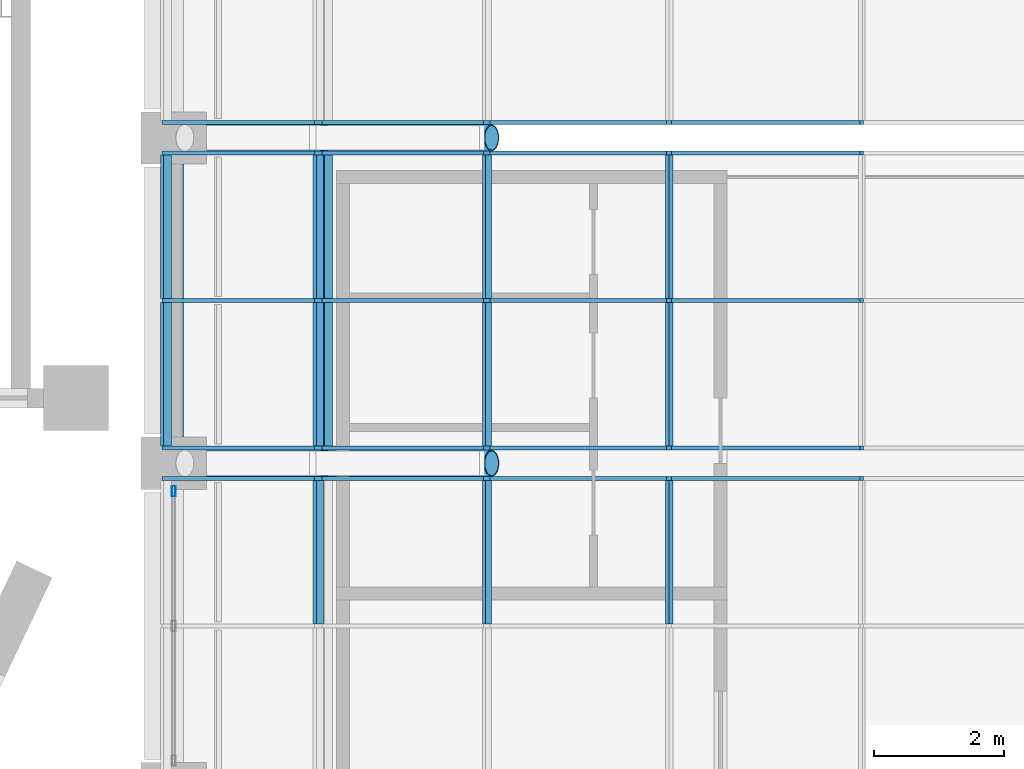
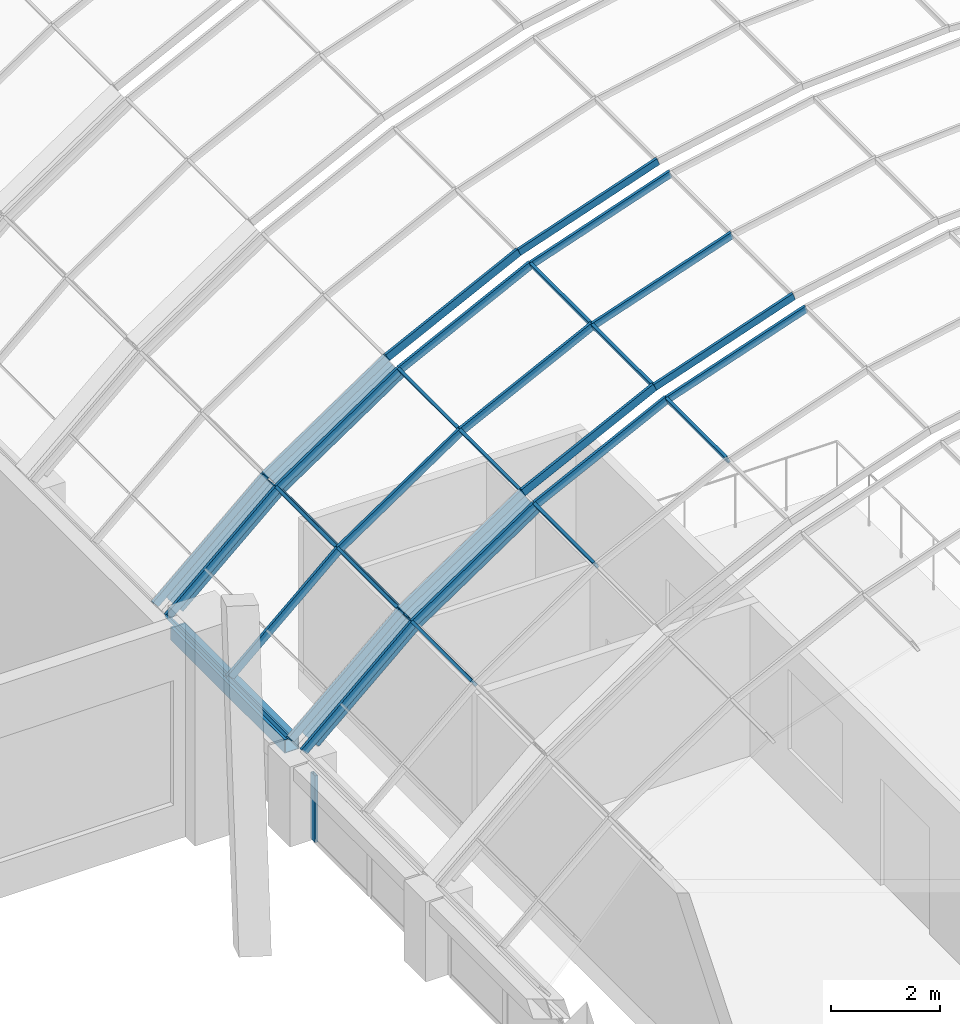
# One storey, part 50 of 182: 37 members, 1 beam, 4 elements without a shape of their own.
"""IFC4 building model written with IfcOpenShell, lengths in metres."""

import ifcopenshell
import ifcopenshell.guid

model = None  # the IFC model being written
_history = None  # IfcOwnerHistory: only IFC2X3 demands one
_inside = {}  # id of a spatial element -> (the spatial element, [elements in it])
_under = {}  # id of a project, library or spatial element -> (it, [spatial elements below it])
_declared = {}  # id of a project -> (the project, [libraries it declares])
_typed = {}  # id of a type object -> (the type object, [elements of that type])
_made_of = {}  # id of a material, layer set ... -> (it, [elements and type objects made of it])


def new_model(schema):
    """Start an empty IFC model of exactly this schema.

    Asked for "IFC4X3", IfcOpenShell would pick the latest addendum, in which some entities
    have other attributes; the version numbers below select the first issue.
    IFC2X3 requires an IfcOwnerHistory on every rooted entity: one is made here for all.
    """
    global model, _history
    if schema == "IFC4X3":
        model = ifcopenshell.file(schema_version=(4, 3, 0, 0))
    else:
        model = ifcopenshell.file(schema=schema)
    _inside.clear()
    _under.clear()
    _declared.clear()
    _typed.clear()
    _made_of.clear()
    _history = None
    if model.schema == "IFC2X3":
        org = make("IfcOrganization", Name="unknown")
        user = make(
            "IfcPersonAndOrganization",
            ThePerson=make("IfcPerson", FamilyName="unknown"),
            TheOrganization=org,
        )
        app = make(
            "IfcApplication",
            ApplicationDeveloper=org,
            Version="unknown",
            ApplicationFullName="unknown",
            ApplicationIdentifier="unknown",
        )
        _history = make(
            "IfcOwnerHistory",
            OwningUser=user,
            OwningApplication=app,
            ChangeAction="ADDED",
            CreationDate=0,
        )
    return model


def make(cls, **values):
    """One entity of the class cls with the attributes given. An attribute that is None is left unset."""
    return model.create_entity(
        cls, **{name: value for name, value in values.items() if value is not None}
    )


def rooted(cls, **values):
    """An entity with a GlobalId (a new one), such as an element, a storey or a relation."""
    return make(cls, GlobalId=ifcopenshell.guid.new(), OwnerHistory=_history, **values)


def si_unit(unit_type, name, prefix=None):
    """IfcSIUnit, for example si_unit("LENGTHUNIT", "METRE", prefix="MILLI")."""
    return make("IfcSIUnit", UnitType=unit_type, Prefix=prefix, Name=name)


def assignment(units):
    """IfcUnitAssignment: the units of a project."""
    return None if units is None else make("IfcUnitAssignment", Units=units)


def point(xyz):
    """IfcCartesianPoint."""
    return None if xyz is None else make("IfcCartesianPoint", Coordinates=xyz)


def direction(xyz):
    """IfcDirection."""
    return None if xyz is None else make("IfcDirection", DirectionRatios=xyz)


def frame(location, z_axis=None, x_axis=None):
    """IfcAxis2Placement3D, a coordinate frame: its origin and axes. An axis left out is left unset."""
    return make(
        "IfcAxis2Placement3D",
        Location=point(location),
        Axis=direction(z_axis),
        RefDirection=direction(x_axis),
    )


def frame_2d(location, x_axis=None):
    """IfcAxis2Placement2D, a coordinate frame in the plane: its origin and x axis."""
    return make(
        "IfcAxis2Placement2D", Location=point(location), RefDirection=direction(x_axis)
    )


def origin():
    """The frame at (0, 0, 0) with its axes left unset."""
    return frame((0.0, 0.0, 0.0))


def origin_2d():
    """The frame at (0, 0) in the plane with its x axis left unset."""
    return frame_2d((0.0, 0.0))


def place(relative_to, where):
    """IfcLocalPlacement: puts the frame where relative to a parent placement (None: the world)."""
    return make(
        "IfcLocalPlacement", PlacementRelTo=relative_to, RelativePlacement=where
    )


def context(
    kind, dimensions, precision=None, world=None, true_north=None, identifier=None
):
    """IfcGeometricRepresentationContext, for example the 3D "Model" context."""
    return make(
        "IfcGeometricRepresentationContext",
        ContextIdentifier=identifier,
        ContextType=kind,
        CoordinateSpaceDimension=dimensions,
        Precision=precision,
        WorldCoordinateSystem=world,
        TrueNorth=true_north,
    )


def subcontext(parent, identifier, kind, view, scale=None):
    """IfcGeometricRepresentationSubContext, for example "Body" below "Model"."""
    return make(
        "IfcGeometricRepresentationSubContext",
        ContextIdentifier=identifier,
        ContextType=kind,
        ParentContext=parent,
        TargetScale=scale,
        TargetView=view,
    )


def project(units=None, contexts=None):
    """IfcProject with its units and contexts."""
    return rooted(
        "IfcProject",
        Name="project",
        RepresentationContexts=contexts,
        UnitsInContext=assignment(units),
    )


def spatial(cls, under=None, at=None, **own):
    """A site, building, storey or space (cls), placed at a placement, below another one or the project."""
    s = rooted(cls, ObjectPlacement=at, **own)
    if under is not None:
        _under.setdefault(under.id(), (under, []))[1].append(s)
    return s


def profile(cls, at=None, kind="AREA", **sizes):
    """A parametric profile (cls). Its sizes go by their IFC names, for example OverallWidth=200.0."""
    return make(cls, ProfileType=kind, Position=at, **sizes)


def rectangle(**sizes):
    """IfcRectangleProfileDef."""
    return profile("IfcRectangleProfileDef", **sizes)


def hollow_rectangle(**sizes):
    """IfcRectangleHollowProfileDef."""
    return profile("IfcRectangleHollowProfileDef", **sizes)


def hollow_circle(**sizes):
    """IfcCircleHollowProfileDef."""
    return profile("IfcCircleHollowProfileDef", **sizes)


def extrude(swept, where, along, depth):
    """IfcExtrudedAreaSolid: the profile swept, set in the frame where, extruded along a direction by depth."""
    return make(
        "IfcExtrudedAreaSolid",
        SweptArea=swept,
        Position=where,
        ExtrudedDirection=direction(along),
        Depth=depth,
    )


def shape(context_of_items, identifier, shape_type, items):
    """IfcShapeRepresentation: the items that make up one representation, for example the "Body"."""
    return make(
        "IfcShapeRepresentation",
        ContextOfItems=context_of_items,
        RepresentationIdentifier=identifier,
        RepresentationType=shape_type,
        Items=items,
    )


def material(Name=None, Category=None):
    """IfcMaterial."""
    return make("IfcMaterial", Name=Name, Category=Category)


def material_profile(
    of_material, cross_section, Name=None, Category=None, Priority=None
):
    """IfcMaterialProfile: a cross section and its material."""
    return make(
        "IfcMaterialProfile",
        Name=Name,
        Material=of_material,
        Profile=cross_section,
        Priority=Priority,
        Category=Category,
    )


def profile_set(profiles, Name=None, composite=None):
    """IfcMaterialProfileSet."""
    return make(
        "IfcMaterialProfileSet",
        Name=Name,
        MaterialProfiles=profiles,
        CompositeProfile=composite,
    )


def made_of(thing, what):
    """Note that an element or type object is made of a material, layer set ...; save() writes the relation."""
    if what is not None:
        _made_of.setdefault(what.id(), (what, []))[1].append(thing)
    return thing


def type_object(cls, material=None, **own):
    """A type object (cls), such as IfcWallType, which elements share."""
    return made_of(rooted(cls, **own), material)


def element(
    cls,
    number,
    at=None,
    inside=None,
    cuts=None,
    type_object=None,
    material=None,
    context=None,
    identifier="Body",
    shape_type=None,
    held_by="IfcProductDefinitionShape",
    body=None,
    shapes=None,
    **own,
):
    """One element of the class cls, such as IfcWall. Its Tag is "e" and its number.

    at: its placement. inside: the storey or other place that contains it. cuts: it is an
    opening in that element (IfcRelVoidsElement). A single representation is given by context,
    identifier, shape_type and body (its items); several are given by shapes. held_by: the class
    of the entity that holds the representations. save() writes the other relations.
    """
    e = rooted(cls, Tag="e%d" % number, ObjectPlacement=at, **own)
    if body is not None:
        shapes = [shape(context, identifier, shape_type, body)]
    if shapes is not None:
        e.Representation = make(held_by, Representations=shapes)
    if inside is not None:
        _inside.setdefault(inside.id(), (inside, []))[1].append(e)
    if cuts is not None:
        rooted(
            "IfcRelVoidsElement", RelatingBuildingElement=cuts, RelatedOpeningElement=e
        )
    if type_object is not None:
        _typed.setdefault(type_object.id(), (type_object, []))[1].append(e)
    return made_of(e, material)


def aggregate(whole, parts):
    """IfcRelAggregates: a whole, such as a stair, and the parts it consists of."""
    return rooted("IfcRelAggregates", RelatingObject=whole, RelatedObjects=parts)


def save(model, path):
    """Write the relations noted so far, then the file.

    IfcRelAggregates (storeys below a building ...), IfcRelContainedInSpatialStructure (elements
    in a storey), IfcRelDefinesByType, IfcRelAssociatesMaterial and IfcRelDeclares: one each for
    every whole, place, type object, material and project.
    """
    for whole, parts in _under.values():
        aggregate(whole, parts)
    for where, things in _inside.values():
        rooted(
            "IfcRelContainedInSpatialStructure",
            RelatedElements=things,
            RelatingStructure=where,
        )
    for kind, things in _typed.values():
        rooted("IfcRelDefinesByType", RelatedObjects=things, RelatingType=kind)
    for what, things in _made_of.values():
        rooted("IfcRelAssociatesMaterial", RelatedObjects=things, RelatingMaterial=what)
    for by, libraries in _declared.values():
        rooted("IfcRelDeclares", RelatingContext=by, RelatedDefinitions=libraries)
    model.write(path)


model = new_model("IFC4")

# Units and contexts
model_context = context("Model", 3, precision=1e-05, world=origin(), true_north=direction((0.0, 1.0)))
body_context = subcontext(model_context, "Body", "Model", "MODEL_VIEW")
ifc_project = project(units=[si_unit("LENGTHUNIT", "METRE"), si_unit("AREAUNIT", "SQUARE_METRE"), si_unit("VOLUMEUNIT", "CUBIC_METRE"), si_unit("PLANEANGLEUNIT", "RADIAN"), si_unit("MASSUNIT", "GRAM", prefix="KILO")], contexts=[model_context])

# Site, building, storey
site_placement = place(None, origin())
site = spatial("IfcSite", under=ifc_project, at=site_placement, CompositionType="ELEMENT")
building_placement = place(site_placement, origin())
building = spatial("IfcBuilding", under=site, at=building_placement, Name="Okhra Congress Centre", CompositionType="ELEMENT")
storey_placement = place(building_placement, frame((0.0, 0.0, 7.199951171875)))
storey = spatial("IfcBuildingStorey", under=building, at=storey_placement, Name="L01", CompositionType="ELEMENT", Elevation=7.199951171875)

# Curtain wall, member
ifc_material_1 = material(Name="Aluminium frame with triple glazing", Category="aluminium")
curtain_wall_type_1 = type_object("IfcCurtainWallType", Name="Glazed vault bay curtain wall", PredefinedType="NOTDEFINED", material=ifc_material_1)
curtain_wall_1_placement = place(storey_placement, origin())
curtain_wall_1 = element("IfcCurtainWall", 1, at=curtain_wall_1_placement, inside=storey, type_object=curtain_wall_type_1, Name="Vault glazing bay 11", PredefinedType="NOTDEFINED")
ifc_material_2 = material(Name="Aluminium alloy 6063", Category="aluminium")
ifc_material_profile_1 = material_profile(ifc_material_2, rectangle(XDim=0.06005859375, YDim=0.159912109375, at=origin_2d()), Name="AL 60x160")
ifc_profile_set_1 = profile_set([ifc_material_profile_1], Name="Aluminium alloy 6063")
member_type_1 = type_object("IfcMemberType", Name="Aluminium mullion 60x160", PredefinedType="MULLION", material=ifc_profile_set_1)
member_1_placement = place(storey_placement, frame((163.11328125, 130.766845703125, 7.12255859375), z_axis=(0.946065064306, 0.0, 0.323976687587), x_axis=(0.0, 1.0, 0.0)))
member_1 = element("IfcMember", 2, at=member_1_placement, type_object=member_type_1, Name="Vault mullion 11.3.4", PredefinedType="MULLION", context=body_context, shape_type="SweptSolid", body=[
    extrude(rectangle(XDim=0.06005859375, YDim=0.159912109375, at=origin_2d()), origin(), (0.0, 0.0, 1.0), 3.124267578125),
])

# Curtain wall, members
curtain_wall_2_placement = place(storey_placement, origin())
curtain_wall_2 = element("IfcCurtainWall", 3, at=curtain_wall_2_placement, inside=storey, type_object=curtain_wall_type_1, Name="Vault glazing bay 12", PredefinedType="NOTDEFINED")
member_2_placement = place(storey_placement, frame((163.11328125, 131.233154296875, 7.12255859375), z_axis=(0.946065064306, 0.0, 0.323976687587), x_axis=(0.0, 1.0, 0.0)))
member_2 = element("IfcMember", 4, at=member_2_placement, type_object=member_type_1, Name="Vault mullion 12.1.4", PredefinedType="MULLION", context=body_context, shape_type="SweptSolid", body=[
    extrude(rectangle(XDim=0.06005859375, YDim=0.159912109375, at=origin_2d()), origin(), (0.0, 0.0, 1.0), 3.124267578125),
])
member_3_placement = place(storey_placement, frame((163.11328125, 133.5, 7.12255859375), z_axis=(0.946065064306, 0.0, 0.323976687587), x_axis=(0.0, 1.0, 0.0)))
member_3 = element("IfcMember", 5, at=member_3_placement, type_object=member_type_1, Name="Vault mullion 12.2.4", PredefinedType="MULLION", context=body_context, shape_type="SweptSolid", body=[
    extrude(rectangle(XDim=0.06005859375, YDim=0.159912109375, at=origin_2d()), origin(), (0.0, 0.0, 1.0), 3.124267578125),
])
member_4_placement = place(storey_placement, frame((163.11328125, 135.766845703125, 7.12255859375), z_axis=(0.946065064306, 0.0, 0.323976687587), x_axis=(0.0, 1.0, 0.0)))
member_4 = element("IfcMember", 6, at=member_4_placement, type_object=member_type_1, Name="Vault mullion 12.3.4", PredefinedType="MULLION", context=body_context, shape_type="SweptSolid", body=[
    extrude(rectangle(XDim=0.06005859375, YDim=0.159912109375, at=origin_2d()), origin(), (0.0, 0.0, 1.0), 3.124267578125),
])

# Curtain wall, member
curtain_wall_3_placement = place(storey_placement, origin())
curtain_wall_3 = element("IfcCurtainWall", 7, at=curtain_wall_3_placement, inside=storey, type_object=curtain_wall_type_1, Name="Vault glazing bay 13", PredefinedType="NOTDEFINED")
member_5_placement = place(storey_placement, frame((163.11328125, 136.233154296875, 7.12255859375), z_axis=(0.946065064306, 0.0, 0.323976687587), x_axis=(0.0, 1.0, 0.0)))
member_5 = element("IfcMember", 8, at=member_5_placement, type_object=member_type_1, Name="Vault mullion 13.1.4", PredefinedType="MULLION", context=body_context, shape_type="SweptSolid", body=[
    extrude(rectangle(XDim=0.06005859375, YDim=0.159912109375, at=origin_2d()), origin(), (0.0, 0.0, 1.0), 3.124267578125),
])

# Member
ifc_material_profile_2 = material_profile(ifc_material_2, rectangle(XDim=0.06005859375, YDim=0.179931640625, at=origin_2d()), Name="AL 60x180")
ifc_profile_set_2 = profile_set([ifc_material_profile_2], Name="Aluminium alloy 6063")
member_type_2 = type_object("IfcMemberType", Name="Aluminium mullion 60x180", PredefinedType="MULLION", material=ifc_profile_set_2)
member_6_placement = place(storey_placement, frame((155.382568359375, 130.766845703125, 1.916015625), z_axis=(0.748025229923, 0.0, 0.663670291183), x_axis=(0.0, 1.0, 0.0)))
member_6 = element("IfcMember", 9, at=member_6_placement, type_object=member_type_2, Name="Vault mullion 11.3.1", PredefinedType="MULLION", context=body_context, shape_type="SweptSolid", body=[
    extrude(rectangle(XDim=0.06005859375, YDim=0.179931640625, at=origin_2d()), origin(), (0.0, 0.0, 1.0), 3.125732421875),
])

member_7_placement = place(storey_placement, frame((157.720703125, 130.766845703125, 3.990478515625), z_axis=(0.828827846338, 0.0, 0.559503709671), x_axis=(0.0, 1.0, 0.0)))
member_7 = element("IfcMember", 10, at=member_7_placement, type_object=member_type_2, Name="Vault mullion 11.3.2", PredefinedType="MULLION", context=body_context, shape_type="SweptSolid", body=[
    extrude(rectangle(XDim=0.06005859375, YDim=0.179931640625, at=origin_2d()), origin(), (0.0, 0.0, 1.0), 3.12548828125),
])

member_8_placement = place(storey_placement, frame((160.311279296875, 130.766845703125, 5.7392578125), z_axis=(0.895253656313, 0.0, 0.445556832354), x_axis=(0.0, 1.0, 0.0)))
member_8 = element("IfcMember", 11, at=member_8_placement, type_object=member_type_2, Name="Vault mullion 11.3.3", PredefinedType="MULLION", context=body_context, shape_type="SweptSolid", body=[
    extrude(rectangle(XDim=0.06005859375, YDim=0.179931640625, at=origin_2d()), origin(), (0.0, 0.0, 1.0), 3.12548828125),
])

member_9_placement = place(storey_placement, frame((155.382568359375, 131.233154296875, 1.916015625), z_axis=(0.748025229923, 0.0, 0.663670291183), x_axis=(0.0, 1.0, 0.0)))
member_9 = element("IfcMember", 12, at=member_9_placement, type_object=member_type_2, Name="Vault mullion 12.1.1", PredefinedType="MULLION", context=body_context, shape_type="SweptSolid", body=[
    extrude(rectangle(XDim=0.06005859375, YDim=0.179931640625, at=origin_2d()), origin(), (0.0, 0.0, 1.0), 3.125732421875),
])

member_10_placement = place(storey_placement, frame((157.720703125, 131.233154296875, 3.990478515625), z_axis=(0.828827846338, 0.0, 0.559503709671), x_axis=(0.0, 1.0, 0.0)))
member_10 = element("IfcMember", 13, at=member_10_placement, type_object=member_type_2, Name="Vault mullion 12.1.2", PredefinedType="MULLION", context=body_context, shape_type="SweptSolid", body=[
    extrude(rectangle(XDim=0.06005859375, YDim=0.179931640625, at=origin_2d()), origin(), (0.0, 0.0, 1.0), 3.12548828125),
])

member_11_placement = place(storey_placement, frame((160.311279296875, 131.233154296875, 5.7392578125), z_axis=(0.895253656313, 0.0, 0.445556832354), x_axis=(0.0, 1.0, 0.0)))
member_11 = element("IfcMember", 14, at=member_11_placement, type_object=member_type_2, Name="Vault mullion 12.1.3", PredefinedType="MULLION", context=body_context, shape_type="SweptSolid", body=[
    extrude(rectangle(XDim=0.06005859375, YDim=0.179931640625, at=origin_2d()), origin(), (0.0, 0.0, 1.0), 3.12548828125),
])

member_12_placement = place(storey_placement, frame((155.382568359375, 133.5, 1.916015625), z_axis=(0.748025229923, 0.0, 0.663670291183), x_axis=(0.0, 1.0, 0.0)))
member_12 = element("IfcMember", 15, at=member_12_placement, type_object=member_type_2, Name="Vault mullion 12.2.1", PredefinedType="MULLION", context=body_context, shape_type="SweptSolid", body=[
    extrude(rectangle(XDim=0.06005859375, YDim=0.179931640625, at=origin_2d()), origin(), (0.0, 0.0, 1.0), 3.125732421875),
])

member_13_placement = place(storey_placement, frame((157.720703125, 133.5, 3.990478515625), z_axis=(0.828827846338, 0.0, 0.559503709671), x_axis=(0.0, 1.0, 0.0)))
member_13 = element("IfcMember", 16, at=member_13_placement, type_object=member_type_2, Name="Vault mullion 12.2.2", PredefinedType="MULLION", context=body_context, shape_type="SweptSolid", body=[
    extrude(rectangle(XDim=0.06005859375, YDim=0.179931640625, at=origin_2d()), origin(), (0.0, 0.0, 1.0), 3.12548828125),
])

member_14_placement = place(storey_placement, frame((160.311279296875, 133.5, 5.7392578125), z_axis=(0.895253656313, 0.0, 0.445556832354), x_axis=(0.0, 1.0, 0.0)))
member_14 = element("IfcMember", 17, at=member_14_placement, type_object=member_type_2, Name="Vault mullion 12.2.3", PredefinedType="MULLION", context=body_context, shape_type="SweptSolid", body=[
    extrude(rectangle(XDim=0.06005859375, YDim=0.179931640625, at=origin_2d()), origin(), (0.0, 0.0, 1.0), 3.12548828125),
])

member_15_placement = place(storey_placement, frame((155.382568359375, 135.766845703125, 1.916015625), z_axis=(0.748025229923, 0.0, 0.663670291183), x_axis=(0.0, 1.0, 0.0)))
member_15 = element("IfcMember", 18, at=member_15_placement, type_object=member_type_2, Name="Vault mullion 12.3.1", PredefinedType="MULLION", context=body_context, shape_type="SweptSolid", body=[
    extrude(rectangle(XDim=0.06005859375, YDim=0.179931640625, at=origin_2d()), origin(), (0.0, 0.0, 1.0), 3.125732421875),
])

member_16_placement = place(storey_placement, frame((157.720703125, 135.766845703125, 3.990478515625), z_axis=(0.828827846338, 0.0, 0.559503709671), x_axis=(0.0, 1.0, 0.0)))
member_16 = element("IfcMember", 19, at=member_16_placement, type_object=member_type_2, Name="Vault mullion 12.3.2", PredefinedType="MULLION", context=body_context, shape_type="SweptSolid", body=[
    extrude(rectangle(XDim=0.06005859375, YDim=0.179931640625, at=origin_2d()), origin(), (0.0, 0.0, 1.0), 3.12548828125),
])

member_17_placement = place(storey_placement, frame((160.311279296875, 135.766845703125, 5.7392578125), z_axis=(0.895253656313, 0.0, 0.445556832354), x_axis=(0.0, 1.0, 0.0)))
member_17 = element("IfcMember", 20, at=member_17_placement, type_object=member_type_2, Name="Vault mullion 12.3.3", PredefinedType="MULLION", context=body_context, shape_type="SweptSolid", body=[
    extrude(rectangle(XDim=0.06005859375, YDim=0.179931640625, at=origin_2d()), origin(), (0.0, 0.0, 1.0), 3.12548828125),
])

member_18_placement = place(storey_placement, frame((155.382568359375, 136.233154296875, 1.916015625), z_axis=(0.748025229923, 0.0, 0.663670291183), x_axis=(0.0, 1.0, 0.0)))
member_18 = element("IfcMember", 21, at=member_18_placement, type_object=member_type_2, Name="Vault mullion 13.1.1", PredefinedType="MULLION", context=body_context, shape_type="SweptSolid", body=[
    extrude(rectangle(XDim=0.06005859375, YDim=0.179931640625, at=origin_2d()), origin(), (0.0, 0.0, 1.0), 3.125732421875),
])

member_19_placement = place(storey_placement, frame((157.720703125, 136.233154296875, 3.990478515625), z_axis=(0.828827846338, 0.0, 0.559503709671), x_axis=(0.0, 1.0, 0.0)))
member_19 = element("IfcMember", 22, at=member_19_placement, type_object=member_type_2, Name="Vault mullion 13.1.2", PredefinedType="MULLION", context=body_context, shape_type="SweptSolid", body=[
    extrude(rectangle(XDim=0.06005859375, YDim=0.179931640625, at=origin_2d()), origin(), (0.0, 0.0, 1.0), 3.12548828125),
])

member_20_placement = place(storey_placement, frame((160.311279296875, 136.233154296875, 5.7392578125), z_axis=(0.895253656313, 0.0, 0.445556832354), x_axis=(0.0, 1.0, 0.0)))
member_20 = element("IfcMember", 23, at=member_20_placement, type_object=member_type_2, Name="Vault mullion 13.1.3", PredefinedType="MULLION", context=body_context, shape_type="SweptSolid", body=[
    extrude(rectangle(XDim=0.06005859375, YDim=0.179931640625, at=origin_2d()), origin(), (0.0, 0.0, 1.0), 3.12548828125),
])

aggregate(curtain_wall_3, [member_18, member_19, member_20, member_5])

ifc_material_profile_3 = material_profile(ifc_material_2, rectangle(XDim=0.06005859375, YDim=0.159912109375, at=origin_2d()), Name="AL 60x160 transom")
ifc_profile_set_3 = profile_set([ifc_material_profile_3], Name="Aluminium alloy 6063")
member_type_3 = type_object("IfcMemberType", Name="Aluminium transom 60x160", PredefinedType="USERDEFINED", material=ifc_profile_set_3)
member_21_placement = place(storey_placement, frame((163.11328125, 128.530029296875, 7.12255859375), z_axis=(0.0, 1.0, 0.0), x_axis=(-0.922668973833, 0.0, -0.38559300399)))
member_21 = element("IfcMember", 24, at=member_21_placement, type_object=member_type_3, Name="Vault transom 11.2.4", ObjectType="TRANSOM", PredefinedType="USERDEFINED", context=body_context, shape_type="SweptSolid", body=[
    extrude(rectangle(XDim=0.06005859375, YDim=0.159912109375, at=origin_2d()), origin(), (0.0, 0.0, 1.0), 2.206787109375),
])

member_22_placement = place(storey_placement, frame((163.11328125, 131.26318359375, 7.12255859375), z_axis=(0.0, 1.0, 0.0), x_axis=(-0.922668973833, 0.0, -0.38559300399)))
member_22 = element("IfcMember", 25, at=member_22_placement, type_object=member_type_3, Name="Vault transom 12.1.4", ObjectType="TRANSOM", PredefinedType="USERDEFINED", context=body_context, shape_type="SweptSolid", body=[
    extrude(rectangle(XDim=0.06005859375, YDim=0.159912109375, at=origin_2d()), origin(), (0.0, 0.0, 1.0), 2.206787109375),
])

member_23_placement = place(storey_placement, frame((163.11328125, 133.530029296875, 7.12255859375), z_axis=(0.0, 1.0, 0.0), x_axis=(-0.922668973833, 0.0, -0.38559300399)))
member_23 = element("IfcMember", 26, at=member_23_placement, type_object=member_type_3, Name="Vault transom 12.2.4", ObjectType="TRANSOM", PredefinedType="USERDEFINED", context=body_context, shape_type="SweptSolid", body=[
    extrude(rectangle(XDim=0.06005859375, YDim=0.159912109375, at=origin_2d()), origin(), (0.0, 0.0, 1.0), 2.206787109375),
])

ifc_material_profile_4 = material_profile(ifc_material_2, rectangle(XDim=0.06005859375, YDim=0.179931640625, at=origin_2d()), Name="AL 60x180 transom")
ifc_profile_set_4 = profile_set([ifc_material_profile_4], Name="Aluminium alloy 6063")
member_type_4 = type_object("IfcMemberType", Name="Aluminium transom 60x180", PredefinedType="USERDEFINED", material=ifc_profile_set_4)
member_24_placement = place(storey_placement, frame((157.720703125, 128.530029296875, 3.990478515625), z_axis=(0.0, 1.0, 0.0), x_axis=(-0.790145035185, 0.0, -0.612919915954)))
member_24 = element("IfcMember", 27, at=member_24_placement, type_object=member_type_4, Name="Vault transom 11.2.2", ObjectType="TRANSOM", PredefinedType="USERDEFINED", context=body_context, shape_type="SweptSolid", body=[
    extrude(rectangle(XDim=0.06005859375, YDim=0.179931640625, at=origin_2d()), origin(), (0.0, 0.0, 1.0), 2.206787109375),
])

member_25_placement = place(storey_placement, frame((160.311279296875, 128.530029296875, 5.7392578125), z_axis=(0.0, 1.0, 0.0), x_axis=(-0.86391685861, 0.0, -0.503634452167)))
member_25 = element("IfcMember", 28, at=member_25_placement, type_object=member_type_4, Name="Vault transom 11.2.3", ObjectType="TRANSOM", PredefinedType="USERDEFINED", context=body_context, shape_type="SweptSolid", body=[
    extrude(rectangle(XDim=0.06005859375, YDim=0.179931640625, at=origin_2d()), origin(), (0.0, 0.0, 1.0), 2.206787109375),
])

aggregate(curtain_wall_1, [member_6, member_7, member_8, member_1, member_24, member_25, member_21])

member_26_placement = place(storey_placement, frame((155.382568359375, 131.26318359375, 1.916015625), z_axis=(0.0, 1.0, 0.0), x_axis=(-0.702636070549, 0.0, -0.711549402616)))
member_26 = element("IfcMember", 29, at=member_26_placement, type_object=member_type_4, Name="Vault transom 12.1.1", ObjectType="TRANSOM", PredefinedType="USERDEFINED", context=body_context, shape_type="SweptSolid", body=[
    extrude(rectangle(XDim=0.06005859375, YDim=0.179931640625, at=origin_2d()), origin(), (0.0, 0.0, 1.0), 2.206787109375),
])

member_27_placement = place(storey_placement, frame((157.720703125, 131.26318359375, 3.990478515625), z_axis=(0.0, 1.0, 0.0), x_axis=(-0.790145035185, 0.0, -0.612919915954)))
member_27 = element("IfcMember", 30, at=member_27_placement, type_object=member_type_4, Name="Vault transom 12.1.2", ObjectType="TRANSOM", PredefinedType="USERDEFINED", context=body_context, shape_type="SweptSolid", body=[
    extrude(rectangle(XDim=0.06005859375, YDim=0.179931640625, at=origin_2d()), origin(), (0.0, 0.0, 1.0), 2.206787109375),
])

member_28_placement = place(storey_placement, frame((160.311279296875, 131.26318359375, 5.7392578125), z_axis=(0.0, 1.0, 0.0), x_axis=(-0.86391685861, 0.0, -0.503634452167)))
member_28 = element("IfcMember", 31, at=member_28_placement, type_object=member_type_4, Name="Vault transom 12.1.3", ObjectType="TRANSOM", PredefinedType="USERDEFINED", context=body_context, shape_type="SweptSolid", body=[
    extrude(rectangle(XDim=0.06005859375, YDim=0.179931640625, at=origin_2d()), origin(), (0.0, 0.0, 1.0), 2.206787109375),
])

member_29_placement = place(storey_placement, frame((155.382568359375, 133.530029296875, 1.916015625), z_axis=(0.0, 1.0, 0.0), x_axis=(-0.702636070549, 0.0, -0.711549402616)))
member_29 = element("IfcMember", 32, at=member_29_placement, type_object=member_type_4, Name="Vault transom 12.2.1", ObjectType="TRANSOM", PredefinedType="USERDEFINED", context=body_context, shape_type="SweptSolid", body=[
    extrude(rectangle(XDim=0.06005859375, YDim=0.179931640625, at=origin_2d()), origin(), (0.0, 0.0, 1.0), 2.206787109375),
])

member_30_placement = place(storey_placement, frame((157.720703125, 133.530029296875, 3.990478515625), z_axis=(0.0, 1.0, 0.0), x_axis=(-0.790145035185, 0.0, -0.612919915954)))
member_30 = element("IfcMember", 33, at=member_30_placement, type_object=member_type_4, Name="Vault transom 12.2.2", ObjectType="TRANSOM", PredefinedType="USERDEFINED", context=body_context, shape_type="SweptSolid", body=[
    extrude(rectangle(XDim=0.06005859375, YDim=0.179931640625, at=origin_2d()), origin(), (0.0, 0.0, 1.0), 2.206787109375),
])

member_31_placement = place(storey_placement, frame((160.311279296875, 133.530029296875, 5.7392578125), z_axis=(0.0, 1.0, 0.0), x_axis=(-0.86391685861, 0.0, -0.503634452167)))
member_31 = element("IfcMember", 34, at=member_31_placement, type_object=member_type_4, Name="Vault transom 12.2.3", ObjectType="TRANSOM", PredefinedType="USERDEFINED", context=body_context, shape_type="SweptSolid", body=[
    extrude(rectangle(XDim=0.06005859375, YDim=0.179931640625, at=origin_2d()), origin(), (0.0, 0.0, 1.0), 2.206787109375),
])

aggregate(curtain_wall_2, [member_9, member_10, member_11, member_2, member_12, member_13, member_14, member_3, member_15, member_16, member_17, member_4, member_26, member_27, member_28, member_22, member_29, member_30, member_31, member_23])

# Curtain wall, member
ifc_material_3 = material(Name="Aluminium curtain wall, triple glazing", Category="aluminium")
curtain_wall_type_2 = type_object("IfcCurtainWallType", Name="Curtain wall 2100 module", PredefinedType="NOTDEFINED", material=ifc_material_3)
curtain_wall_4_placement = place(storey_placement, origin())
curtain_wall_4 = element("IfcCurtainWall", 35, at=curtain_wall_4_placement, inside=storey, type_object=curtain_wall_type_2, Name="West bay 11 clerestory glazing", PredefinedType="NOTDEFINED")
ifc_material_4 = material(Name="Aluminium alloy EN AW-6063 T66", Category="aluminium")
ifc_material_profile_5 = material_profile(ifc_material_4, hollow_rectangle(XDim=0.06005859375, YDim=0.159912109375, WallThickness=0.00390625, at=origin_2d()), Name="RHS 60x160x4")
ifc_profile_set_5 = profile_set([ifc_material_profile_5], Name="Aluminium alloy EN AW-6063 T66")
member_type_5 = type_object("IfcMemberType", Name="Curtain wall mullion 60x160", PredefinedType="MULLION", material=ifc_profile_set_5)
member_32_placement = place(storey_placement, frame((155.5, 130.570068359375, 0.0), z_axis=(0.0, 0.0, 1.0), x_axis=(-1.0, 0.0, 0.0)))
member_32 = element("IfcMember", 36, at=member_32_placement, type_object=member_type_5, Name="CW4 mullion 3", PredefinedType="MULLION", context=body_context, shape_type="SweptSolid", body=[
    extrude(hollow_rectangle(XDim=0.06005859375, YDim=0.159912109375, WallThickness=0.00390625, at=origin_2d()), origin(), (0.0, 0.0, 1.0), 1.5),
])
aggregate(curtain_wall_4, [member_32])

# Beam
ifc_material_5 = material(Name="Steel S355J2", Category="steel")
ifc_material_profile_6 = material_profile(ifc_material_5, hollow_rectangle(XDim=0.300048828125, YDim=0.300048828125, WallThickness=0.012451171875, at=origin_2d()), Name="RHS 300x300x12.5")
ifc_profile_set_6 = profile_set([ifc_material_profile_6], Name="Steel S355J2")
beam_type = type_object("IfcBeamType", Name="Steel eaves beam RHS 300x300x12.5", PredefinedType="BEAM", material=ifc_profile_set_6)
beam_placement = place(storey_placement, frame((155.5, 131.39990234375, 1.650146484375), z_axis=(0.0, 1.0, 0.0), x_axis=(-1.0, 0.0, 0.0)))
element("IfcBeam", 37, at=beam_placement, inside=storey, type_object=beam_type, Name="Eaves beam W12", PredefinedType="BEAM", context=body_context, shape_type="SweptSolid", body=[
    extrude(hollow_rectangle(XDim=0.300048828125, YDim=0.300048828125, WallThickness=0.012451171875, at=origin_2d()), origin(), (0.0, 0.0, 1.0), 4.2001953125),
])

# Members
ifc_material_profile_7 = material_profile(ifc_material_5, hollow_rectangle(XDim=0.10009765625, YDim=0.199951171875, WallThickness=0.008056640625, at=origin_2d()), Name="RHS 200x100x8")
ifc_profile_set_7 = profile_set([ifc_material_profile_7], Name="Steel S355J2")
member_type_6 = type_object("IfcMemberType", Name="Steel purlin RHS 200x100x8", PredefinedType="PURLIN", material=ifc_profile_set_7)
member_33_placement = place(storey_placement, frame((157.837158203125, 131.203125, 3.84033203125), z_axis=(0.0, 1.0, 0.0), x_axis=(-0.790145035185, 0.0, -0.612919915954)))
element("IfcMember", 38, at=member_33_placement, inside=storey, type_object=member_type_6, Name="Vault purlin 12.1", PredefinedType="PURLIN", context=body_context, shape_type="SweptSolid", body=[
    extrude(hollow_rectangle(XDim=0.10009765625, YDim=0.199951171875, WallThickness=0.008056640625, at=origin_2d()), origin(), (0.0, 0.0, 1.0), 4.59375),
])
ifc_material_profile_8 = material_profile(ifc_material_5, hollow_circle(Radius=0.203125, WallThickness=0.01611328125, at=origin_2d()), Name="CHS 406.4x16")
ifc_profile_set_8 = profile_set([ifc_material_profile_8], Name="Steel S355J2")
member_type_7 = type_object("IfcMemberType", Name="Tubular steel arch rib CHS 406x16", PredefinedType="USERDEFINED", material=ifc_profile_set_8)
member_34_placement = place(storey_placement, frame((155.67138671875, 131.0, 1.9521484375), z_axis=(0.74800221093, 0.0, 0.663696235069), x_axis=(0.0, 1.0, 0.0)))
element("IfcMember", 39, at=member_34_placement, inside=storey, type_object=member_type_7, Name="Arch rib 12.1", ObjectType="Arch rib", PredefinedType="USERDEFINED", context=body_context, shape_type="SweptSolid", body=[
    extrude(hollow_circle(Radius=0.203125, WallThickness=0.01611328125, at=origin_2d()), origin(), (0.0, 0.0, 1.0), 2.861083984375),
])
member_35_placement = place(storey_placement, frame((157.8330078125, 131.0, 3.86767578125), z_axis=(0.82882567543, 0.0, 0.559506925558), x_axis=(0.0, 1.0, 0.0)))
element("IfcMember", 40, at=member_35_placement, inside=storey, type_object=member_type_7, Name="Arch rib 12.2", ObjectType="Arch rib", PredefinedType="USERDEFINED", context=body_context, shape_type="SweptSolid", body=[
    extrude(hollow_circle(Radius=0.203125, WallThickness=0.01611328125, at=origin_2d()), origin(), (0.0, 0.0, 1.0), 3.07666015625),
])
member_36_placement = place(storey_placement, frame((155.67138671875, 136.0, 1.9521484375), z_axis=(0.74800221093, 0.0, 0.663696235069), x_axis=(0.0, 1.0, 0.0)))
element("IfcMember", 41, at=member_36_placement, inside=storey, type_object=member_type_7, Name="Arch rib 13.1", ObjectType="Arch rib", PredefinedType="USERDEFINED", context=body_context, shape_type="SweptSolid", body=[
    extrude(hollow_circle(Radius=0.203125, WallThickness=0.01611328125, at=origin_2d()), origin(), (0.0, 0.0, 1.0), 2.861083984375),
])
member_37_placement = place(storey_placement, frame((157.8330078125, 136.0, 3.86767578125), z_axis=(0.82882567543, 0.0, 0.559506925558), x_axis=(0.0, 1.0, 0.0)))
element("IfcMember", 42, at=member_37_placement, inside=storey, type_object=member_type_7, Name="Arch rib 13.2", ObjectType="Arch rib", PredefinedType="USERDEFINED", context=body_context, shape_type="SweptSolid", body=[
    extrude(hollow_circle(Radius=0.203125, WallThickness=0.01611328125, at=origin_2d()), origin(), (0.0, 0.0, 1.0), 3.07666015625),
])

save(model, "model.ifc")
